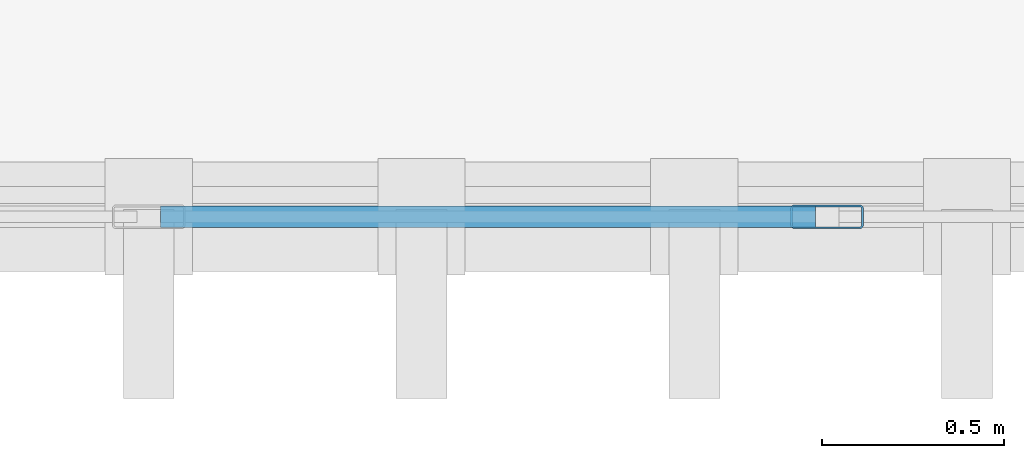
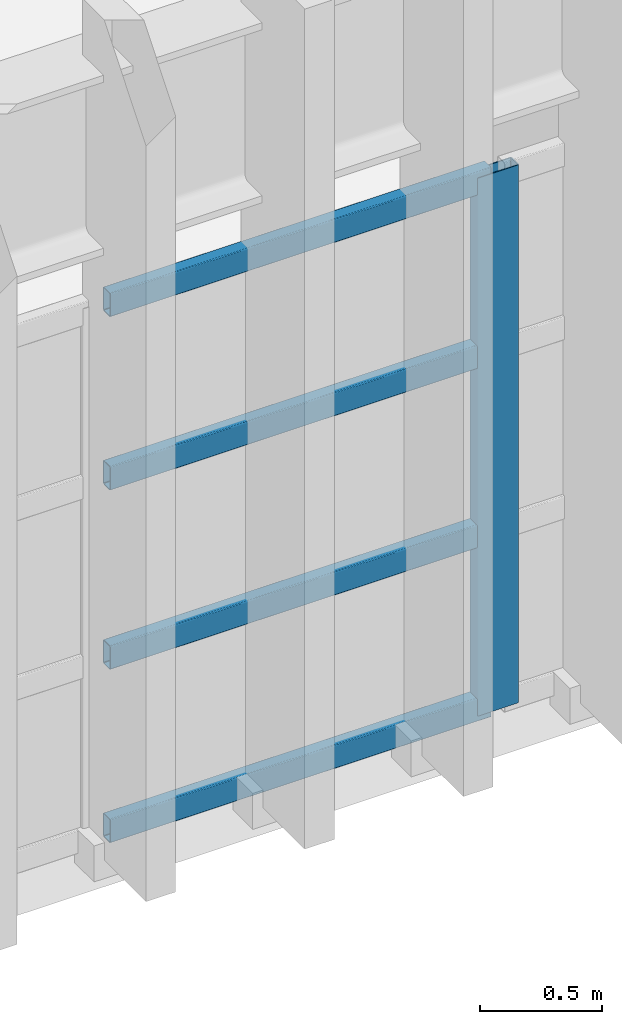
# One storey, part 32 of 124: 5 members, 1 element without a shape of its own.
"""IFC4 building model written with IfcOpenShell, lengths in metres."""

from ifc_helpers import new_model, si_unit, direction, frame, origin, origin_2d, place, context, subcontext, project, spatial, hollow_rectangle, extrude, material, material_profile, profile_set, type_object, element, aggregate, save


model = new_model("IFC4")

# Units and contexts
model_context = context("Model", 3, precision=1e-05, world=origin(), true_north=direction((0.0, 1.0)))
body_context = subcontext(model_context, "Body", "Model", "MODEL_VIEW")
ifc_project = project(units=[si_unit("LENGTHUNIT", "METRE"), si_unit("AREAUNIT", "SQUARE_METRE"), si_unit("VOLUMEUNIT", "CUBIC_METRE"), si_unit("PLANEANGLEUNIT", "RADIAN"), si_unit("MASSUNIT", "GRAM", prefix="KILO")], contexts=[model_context])

# Site, building, storey
site_placement = place(None, origin())
site = spatial("IfcSite", under=ifc_project, at=site_placement, CompositionType="ELEMENT")
building_placement = place(site_placement, origin())
building = spatial("IfcBuilding", under=site, at=building_placement, Name="Qasida Concert Hall", CompositionType="ELEMENT")
storey_placement = place(building_placement, frame((0.0, 0.0, 9.0)))
storey = spatial("IfcBuildingStorey", under=building, at=storey_placement, Name="L02", CompositionType="ELEMENT", Elevation=9.0)

# Curtain wall, members
ifc_material_1 = material(Name="Architectural bronze-anodized aluminium and low-E glass", Category="aluminium")
curtain_wall_type = type_object("IfcCurtainWallType", Name="CW-03", PredefinedType="NOTDEFINED", material=ifc_material_1)
curtain_wall_placement = place(storey_placement, origin())
curtain_wall = element("IfcCurtainWall", 1, at=curtain_wall_placement, inside=storey, type_object=curtain_wall_type, Name="L02 curtain wall CW-03 0013", PredefinedType="NOTDEFINED")
ifc_material_2 = material(Name="Architectural bronze-anodized aluminium EN AW-6063", Category="aluminium")
ifc_material_profile_1 = material_profile(ifc_material_2, hollow_rectangle(XDim=0.06494140625, YDim=0.199951171875, WallThickness=0.0048828125, InnerFilletRadius=0.0048828125, OuterFilletRadius=0.010009765625, at=origin_2d()), Name="CWM 200x65x5")
ifc_profile_set_1 = profile_set([ifc_material_profile_1], Name="Architectural bronze-anodized aluminium EN AW-6063")
member_type_1 = type_object("IfcMemberType", Name="MB-CWM-2", PredefinedType="MULLION", material=ifc_profile_set_1)
member_1_placement = place(storey_placement, frame((95.614990234375, 14.699951171875, 0.0), z_axis=(0.0, 0.0, 1.0), x_axis=(0.0, 1.0, 0.0)))
member_1 = element("IfcMember", 2, at=member_1_placement, type_object=member_type_1, Name="CW-03 mullion 4", PredefinedType="MULLION", context=body_context, shape_type="SweptSolid", body=[
    extrude(hollow_rectangle(XDim=0.06494140625, YDim=0.199951171875, WallThickness=0.0048828125, InnerFilletRadius=0.0048828125, OuterFilletRadius=0.010009765625, at=origin_2d()), origin(), (0.0, 0.0, 1.0), 2.68994140625),
])
ifc_material_profile_2 = material_profile(ifc_material_2, hollow_rectangle(XDim=0.06005859375, YDim=0.1201171875, WallThickness=0.00390625, InnerFilletRadius=0.00390625, OuterFilletRadius=0.008056640625, at=origin_2d()), Name="CWT 120x60x4")
ifc_profile_set_2 = profile_set([ifc_material_profile_2], Name="Architectural bronze-anodized aluminium EN AW-6063")
member_type_2 = type_object("IfcMemberType", Name="MB-CWT-2", PredefinedType="USERDEFINED", material=ifc_profile_set_2)
member_2_placement = place(storey_placement, frame((93.782470703125, 14.699951171875, 0.030029296875), z_axis=(1.0, 0.0, 0.0), x_axis=(0.0, 1.0, 0.0)))
member_2 = element("IfcMember", 3, at=member_2_placement, type_object=member_type_2, Name="CW-03 transom 3.1", ObjectType="TRANSOM", PredefinedType="USERDEFINED", context=body_context, shape_type="SweptSolid", body=[
    extrude(hollow_rectangle(XDim=0.06005859375, YDim=0.1201171875, WallThickness=0.00390625, InnerFilletRadius=0.00390625, OuterFilletRadius=0.008056640625, at=origin_2d()), origin(), (0.0, 0.0, 1.0), 1.800048828125),
])
member_3_placement = place(storey_placement, frame((93.782470703125, 14.699951171875, 0.896728515625), z_axis=(1.0, 0.0, 0.0), x_axis=(0.0, 1.0, 0.0)))
member_3 = element("IfcMember", 4, at=member_3_placement, type_object=member_type_2, Name="CW-03 transom 3.2", ObjectType="TRANSOM", PredefinedType="USERDEFINED", context=body_context, shape_type="SweptSolid", body=[
    extrude(hollow_rectangle(XDim=0.06005859375, YDim=0.1201171875, WallThickness=0.00390625, InnerFilletRadius=0.00390625, OuterFilletRadius=0.008056640625, at=origin_2d()), origin(), (0.0, 0.0, 1.0), 1.800048828125),
])
member_4_placement = place(storey_placement, frame((93.782470703125, 14.699951171875, 1.793212890625), z_axis=(1.0, 0.0, 0.0), x_axis=(0.0, 1.0, 0.0)))
member_4 = element("IfcMember", 5, at=member_4_placement, type_object=member_type_2, Name="CW-03 transom 3.3", ObjectType="TRANSOM", PredefinedType="USERDEFINED", context=body_context, shape_type="SweptSolid", body=[
    extrude(hollow_rectangle(XDim=0.06005859375, YDim=0.1201171875, WallThickness=0.00390625, InnerFilletRadius=0.00390625, OuterFilletRadius=0.008056640625, at=origin_2d()), origin(), (0.0, 0.0, 1.0), 1.800048828125),
])
member_5_placement = place(storey_placement, frame((93.782470703125, 14.699951171875, 2.659912109375), z_axis=(1.0, 0.0, 0.0), x_axis=(0.0, 1.0, 0.0)))
member_5 = element("IfcMember", 6, at=member_5_placement, type_object=member_type_2, Name="CW-03 transom 3.4", ObjectType="TRANSOM", PredefinedType="USERDEFINED", context=body_context, shape_type="SweptSolid", body=[
    extrude(hollow_rectangle(XDim=0.06005859375, YDim=0.1201171875, WallThickness=0.00390625, InnerFilletRadius=0.00390625, OuterFilletRadius=0.008056640625, at=origin_2d()), origin(), (0.0, 0.0, 1.0), 1.800048828125),
])
aggregate(curtain_wall, [member_1, member_2, member_3, member_4, member_5])

save(model, "model.ifc")
